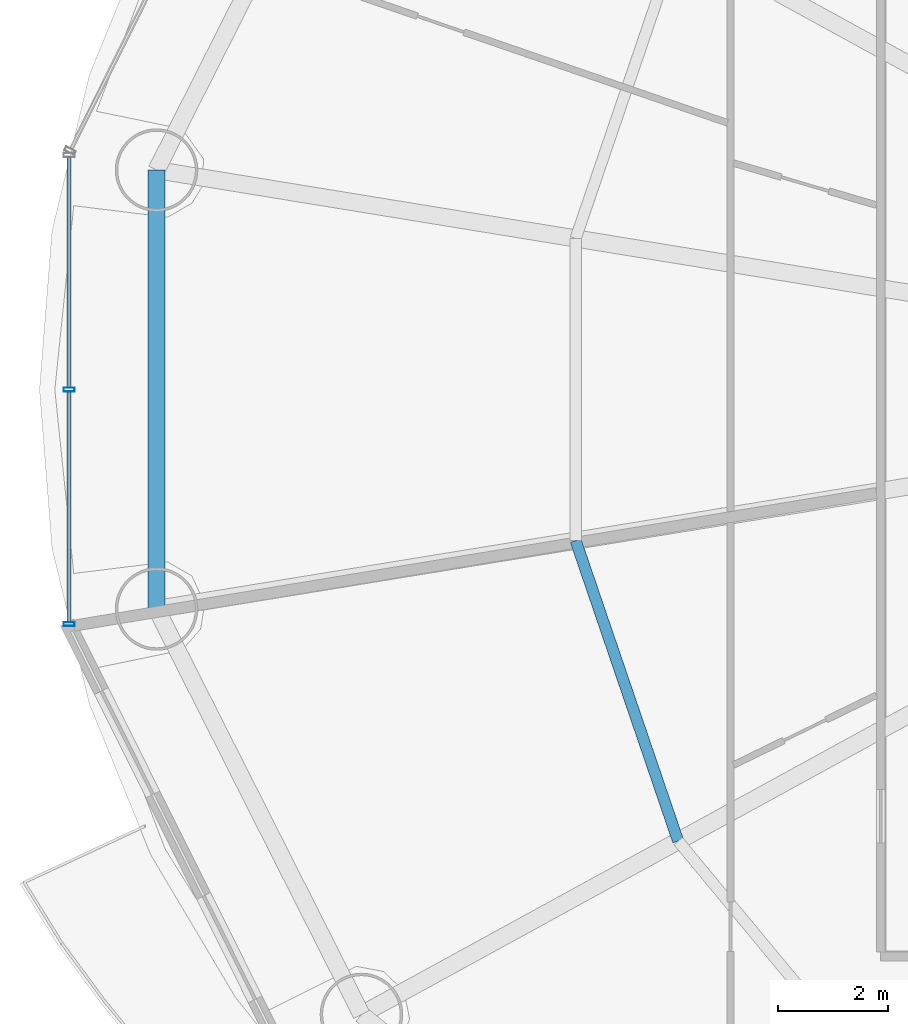
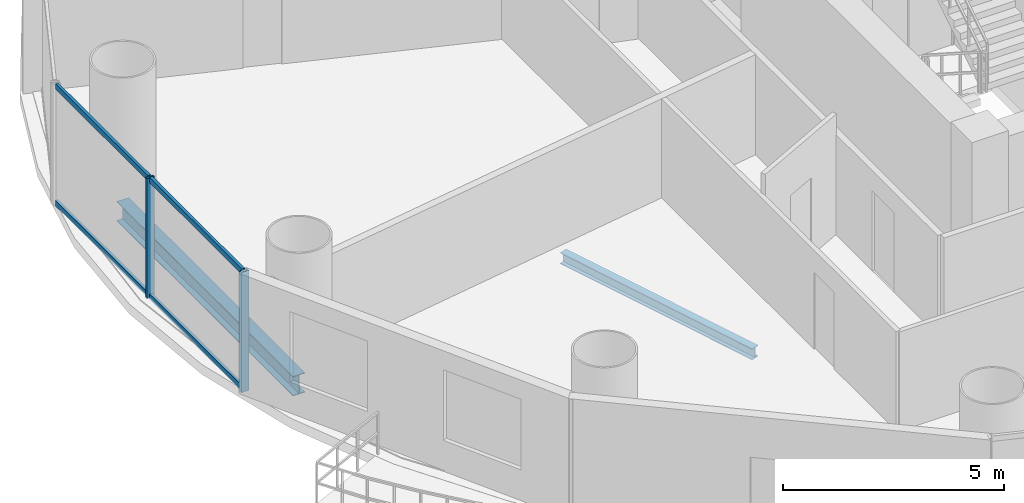
# One storey, part 7 of 29: 6 members, 2 beams, 1 element without a shape of its own.
"""IFC4 building model written with IfcOpenShell, lengths in metres."""

from ifc_helpers import new_model, si_unit, direction, frame, origin, origin_2d, place, context, subcontext, project, spatial, hollow_rectangle, i_section, extrude, source, transform, mapped, material, material_profile, profile_set, type_object, element, aggregate, save


model = new_model("IFC4")

# Units and contexts
model_context = context("Model", 3, precision=1e-05, world=origin(), true_north=direction((-0.2419218956, 0.970295726276)))
body_context = subcontext(model_context, "Body", "Model", "MODEL_VIEW")
ifc_project = project(units=[si_unit("LENGTHUNIT", "METRE"), si_unit("AREAUNIT", "SQUARE_METRE"), si_unit("VOLUMEUNIT", "CUBIC_METRE"), si_unit("PLANEANGLEUNIT", "RADIAN"), si_unit("MASSUNIT", "GRAM", prefix="KILO")], contexts=[model_context])

# Site, building, storey
site_placement = place(None, origin())
site = spatial("IfcSite", under=ifc_project, at=site_placement, CompositionType="ELEMENT")
building_placement = place(site_placement, origin())
building = spatial("IfcBuilding", under=site, at=building_placement, Name="Cobrevalo Terracotta Tower", CompositionType="ELEMENT")
storey_placement = place(building_placement, frame((0.0, 0.0, 87.0)))
storey = spatial("IfcBuildingStorey", under=building, at=storey_placement, Name="L22", CompositionType="ELEMENT", Elevation=87.0)

# Beams
ifc_material_1 = material(Name="Steel S355", Category="steel")
ifc_material_profile_1 = material_profile(ifc_material_1, i_section(OverallWidth=0.2041015625, OverallDepth=0.305908203125, WebThickness=0.008544921875, FlangeThickness=0.0146484375, at=origin_2d()), Name="W 310x67")
ifc_profile_set_1 = profile_set([ifc_material_profile_1], Name="Steel S355")
beam_type_1 = type_object("IfcBeamType", Name="Structural Joist W 310x67 (Steel S355)", PredefinedType="JOIST", material=ifc_profile_set_1)
beam_1_placement = place(storey_placement, frame((21.149658203125, 24.052734375, -0.427978515625), z_axis=(0.322846227919, -0.946451431991, 0.0), x_axis=(0.946451431991, 0.322846227919, 0.0)))
element("IfcBeam", 1, at=beam_1_placement, inside=storey, type_object=beam_type_1, Name="L22 circumferential secondary floor joist 09", PredefinedType="JOIST", context=body_context, shape_type="SweptSolid", body=[
    extrude(i_section(OverallWidth=0.2041015625, OverallDepth=0.305908203125, WebThickness=0.008544921875, FlangeThickness=0.0146484375, at=origin_2d()), origin(), (0.0, 0.0, 1.0), 5.77001953125),
])
ifc_material_profile_2 = material_profile(ifc_material_1, i_section(OverallWidth=0.31201171875, OverallDepth=0.54296875, WebThickness=0.0126953125, FlangeThickness=0.020263671875, at=origin_2d()), Name="W 530x150")
ifc_profile_set_2 = profile_set([ifc_material_profile_2], Name="Steel S355")
beam_type_2 = type_object("IfcBeamType", Name="Structural Spandrel W 530x150 (Steel S355)", PredefinedType="SPANDREL", material=ifc_profile_set_2)
beam_2_placement = place(storey_placement, frame((13.529296875, 30.78955078125, -0.54638671875), z_axis=(0.0, -1.0, 0.0), x_axis=(1.0, 0.0, 0.0)))
element("IfcBeam", 2, at=beam_2_placement, inside=storey, type_object=beam_type_2, Name="L22 perimeter ring spandrel 08", PredefinedType="SPANDREL", context=body_context, shape_type="SweptSolid", body=[
    extrude(i_section(OverallWidth=0.31201171875, OverallDepth=0.54296875, WebThickness=0.0126953125, FlangeThickness=0.020263671875, at=origin_2d()), origin(), (0.0, 0.0, 1.0), 7.979248046875),
])

# Curtain wall, members
ifc_material_2 = material(Name="Anodized aluminium", Category="aluminium")
curtain_wall_type = type_object("IfcCurtainWallType", Name="Lower-tower unitised acoustic low-E curtain wall CW-U1", PredefinedType="NOTDEFINED", material=ifc_material_2)
curtain_wall_placement = place(storey_placement, origin())
curtain_wall = element("IfcCurtainWall", 3, at=curtain_wall_placement, inside=storey, type_object=curtain_wall_type, Name="L22 curtain wall CW-L22-S08", PredefinedType="NOTDEFINED")
ifc_material_profile_3 = material_profile(ifc_material_2, hollow_rectangle(XDim=0.074951171875, YDim=0.14990234375, WallThickness=0.00439453125, at=origin_2d()), Name="CWT 75x150")
ifc_profile_set_3 = profile_set([ifc_material_profile_3], Name="Anodized aluminium")
member_type_1 = type_object("IfcMemberType", Name="Tower unitised aluminium transom 75x150", PredefinedType="USERDEFINED", material=ifc_profile_set_3)
shared_shape_1 = source(origin(), body_context, "Body", "SweptSolid", [
    extrude(hollow_rectangle(XDim=0.074951171875, YDim=0.14990234375, WallThickness=0.00439453125, at=origin_2d()), origin(), (0.0, 0.0, 1.0), 4.185546875),
])
member_1_placement = place(storey_placement, frame((11.9404296875, 31.025634765625, 0.050048828125), z_axis=(0.0, -1.0, 0.0), x_axis=(1.0, 0.0, 0.0)))
member_1 = element("IfcMember", 4, at=member_1_placement, type_object=member_type_1, Name="CW-L22-S08 transom B01-T1", ObjectType="TRANSOM", PredefinedType="USERDEFINED", context=body_context, shape_type="MappedRepresentation", body=[
    mapped(shared_shape_1, transform((0.0, 0.0, 0.0), scale=1.0)),
])
member_2_placement = place(storey_placement, frame((11.9404296875, 31.025634765625, 3.27490234375), z_axis=(0.0, -1.0, 0.0), x_axis=(1.0, 0.0, 0.0)))
member_2 = element("IfcMember", 5, at=member_2_placement, type_object=member_type_1, Name="CW-L22-S08 transom B01-T2", ObjectType="TRANSOM", PredefinedType="USERDEFINED", context=body_context, shape_type="MappedRepresentation", body=[
    mapped(shared_shape_1, transform((0.0, 0.0, 0.0), scale=1.0)),
])
member_3_placement = place(storey_placement, frame((11.9404296875, 26.760009765625, 0.050048828125), z_axis=(0.0, -1.0, 0.0), x_axis=(1.0, 0.0, 0.0)))
member_3 = element("IfcMember", 6, at=member_3_placement, type_object=member_type_1, Name="CW-L22-S08 transom B02-T1", ObjectType="TRANSOM", PredefinedType="USERDEFINED", context=body_context, shape_type="MappedRepresentation", body=[
    mapped(shared_shape_1, transform((0.0, 0.0, 0.0), scale=1.0)),
])
member_4_placement = place(storey_placement, frame((11.9404296875, 26.760009765625, 3.27490234375), z_axis=(0.0, -1.0, 0.0), x_axis=(1.0, 0.0, 0.0)))
member_4 = element("IfcMember", 7, at=member_4_placement, type_object=member_type_1, Name="CW-L22-S08 transom B02-T2", ObjectType="TRANSOM", PredefinedType="USERDEFINED", context=body_context, shape_type="MappedRepresentation", body=[
    mapped(shared_shape_1, transform((0.0, 0.0, 0.0), scale=1.0)),
])
ifc_material_profile_4 = material_profile(ifc_material_2, hollow_rectangle(XDim=0.074951171875, YDim=0.199951171875, WallThickness=0.0048828125, at=origin_2d()), Name="CWM 75x200")
ifc_profile_set_4 = profile_set([ifc_material_profile_4], Name="Anodized aluminium")
member_type_2 = type_object("IfcMemberType", Name="Lower/mid tower unitised mullion 75x200", PredefinedType="MULLION", material=ifc_profile_set_4)
shared_shape_2 = source(origin(), body_context, "Body", "SweptSolid", [
    extrude(hollow_rectangle(XDim=0.074951171875, YDim=0.199951171875, WallThickness=0.0048828125, at=origin_2d()), origin(), (0.0, 0.0, 1.0), 3.324951171875),
])
member_5_placement = place(storey_placement, frame((11.9404296875, 26.800048828125, 0.0), z_axis=(0.0, 0.0, 1.0), x_axis=(0.0, -1.0, 0.0)))
member_5 = element("IfcMember", 8, at=member_5_placement, type_object=member_type_2, Name="CW-L22-S08 vertical mullion 02", PredefinedType="MULLION", context=body_context, shape_type="MappedRepresentation", body=[
    mapped(shared_shape_2, transform((0.0, 0.0, 0.0), scale=1.0)),
])
member_6_placement = place(storey_placement, frame((11.9404296875, 22.534423828125, 0.0), z_axis=(0.0, 0.0, 1.0), x_axis=(0.0, -1.0, 0.0)))
member_6 = element("IfcMember", 9, at=member_6_placement, type_object=member_type_2, Name="CW-L22-S08 vertical mullion 03", PredefinedType="MULLION", context=body_context, shape_type="MappedRepresentation", body=[
    mapped(shared_shape_2, transform((0.0, 0.0, 0.0), scale=1.0)),
])
aggregate(curtain_wall, [member_5, member_6, member_1, member_2, member_3, member_4])

save(model, "model.ifc")
